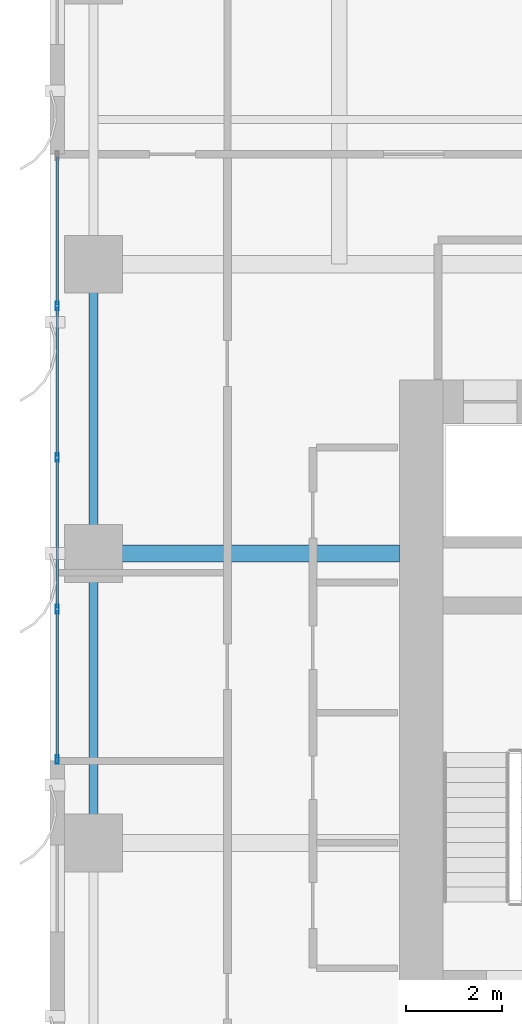
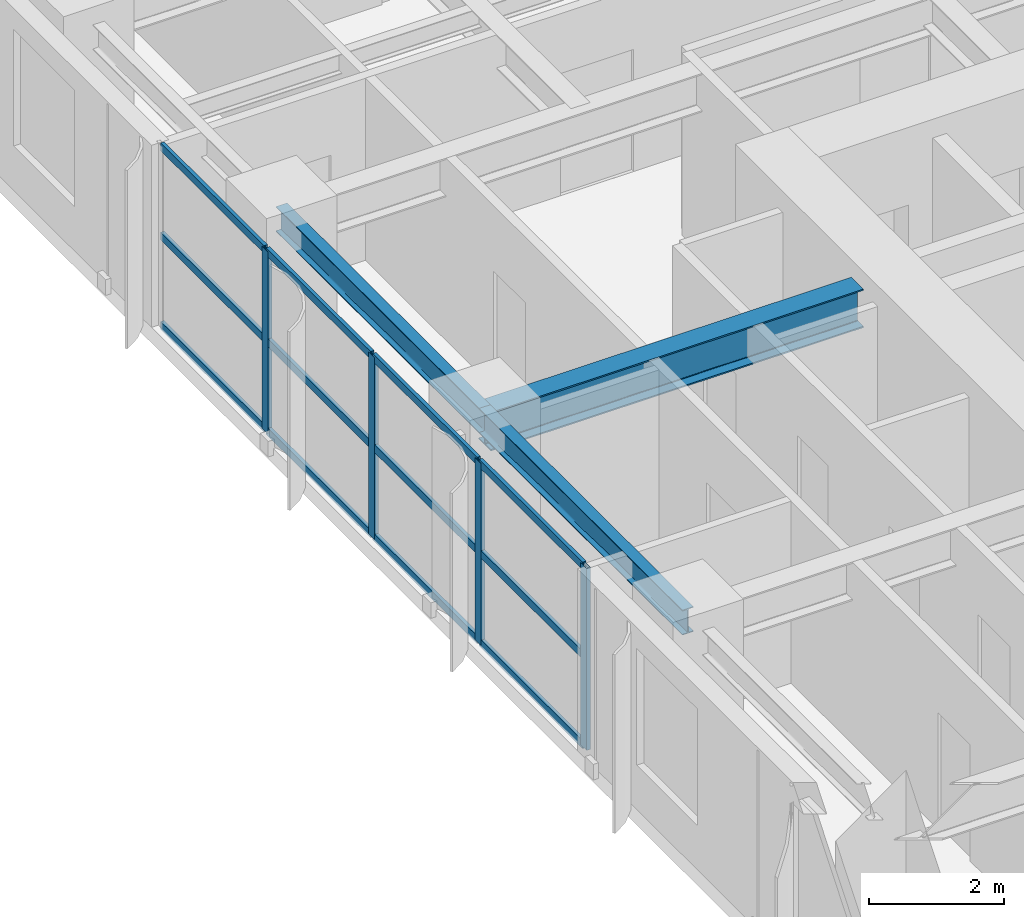
# One storey, part 5 of 23: 16 members, 3 beams, 1 element without a shape of its own.
"""IFC4 building model written with IfcOpenShell, lengths in metres."""

from ifc_helpers import new_model, si_unit, direction, frame, origin, origin_2d, place, context, subcontext, project, spatial, hollow_rectangle, i_section, extrude, source, transform, mapped, material, layer, layer_set, material_profile, profile_set, type_object, element, aggregate, save


model = new_model("IFC4")

# Units and contexts
model_context = context("Model", 3, precision=1e-05, world=origin(), true_north=direction((0.0, 1.0)))
body_context = subcontext(model_context, "Body", "Model", "MODEL_VIEW")
ifc_project = project(units=[si_unit("LENGTHUNIT", "METRE"), si_unit("AREAUNIT", "SQUARE_METRE"), si_unit("VOLUMEUNIT", "CUBIC_METRE"), si_unit("PLANEANGLEUNIT", "RADIAN"), si_unit("MASSUNIT", "GRAM", prefix="KILO")], contexts=[model_context])

# Site, building, storey
site_placement = place(None, origin())
site = spatial("IfcSite", under=ifc_project, at=site_placement, CompositionType="ELEMENT")
building_placement = place(site_placement, origin())
building = spatial("IfcBuilding", under=site, at=building_placement, Name="Khoralis Quay Care Tower", CompositionType="ELEMENT")
storey_placement = place(building_placement, frame((0.0, 0.0, 72.89990234375)))
storey = spatial("IfcBuildingStorey", under=building, at=storey_placement, Name="L19", CompositionType="ELEMENT", Elevation=72.89990234375)

# Beams
ifc_material_1 = material(Name="Steel S355", Category="steel")
ifc_material_profile_1 = material_profile(ifc_material_1, i_section(OverallWidth=0.18994140625, OverallDepth=0.449951171875, WebThickness=0.009521484375, FlangeThickness=0.0146484375, FilletRadius=0.02099609375, at=origin_2d()), Name="Steel S355")
ifc_profile_set_1 = profile_set([ifc_material_profile_1], Name="Steel S355")
beam_type_1 = type_object("IfcBeamType", Name="BM-IPE450", PredefinedType="SPANDREL", material=ifc_profile_set_1)
shared_shape_1 = source(origin(), body_context, "Body", "SweptSolid", [
    extrude(i_section(OverallWidth=0.18994140625, OverallDepth=0.449951171875, WebThickness=0.009521484375, FlangeThickness=0.0146484375, FilletRadius=0.02099609375, at=origin_2d()), origin(), (0.0, 0.0, 1.0), 6.0),
])
for number, where, z_axis, x_axis, name in (
    (1, (0.89990234375, 18.0, 3.05517578125), (0.0, 1.0, 0.0), (-1.0, 0.0, 0.0), "BM-TSP-L19-15"),
    (2, (0.89990234375, 24.0, 3.05517578125), (0.0, 1.0, 0.0), (-1.0, 0.0, 0.0), "BM-TSP-L19-16"),
):
    element("IfcBeam", number, at=place(storey_placement, frame(where, z_axis=z_axis, x_axis=x_axis)), inside=storey, type_object=beam_type_1, Name=name, PredefinedType="SPANDREL", context=body_context, shape_type="MappedRepresentation", body=[
        mapped(shared_shape_1, transform((0.0, 0.0, 0.0), scale=1.0)),
    ])
ifc_material_profile_2 = material_profile(ifc_material_1, i_section(OverallWidth=0.35498046875, OverallDepth=0.695068359375, WebThickness=0.015380859375, FlangeThickness=0.02490234375, FilletRadius=0.02001953125, at=origin_2d()), Name="Steel S355")
ifc_profile_set_2 = profile_set([ifc_material_profile_2], Name="Steel S355")
beam_type_2 = type_object("IfcBeamType", Name="BM-W690X217", PredefinedType="BEAM", material=ifc_profile_set_2)
shared_shape_2 = source(origin(), body_context, "Body", "SweptSolid", [
    extrude(i_section(OverallWidth=0.35498046875, OverallDepth=0.695068359375, WebThickness=0.015380859375, FlangeThickness=0.02490234375, FilletRadius=0.02001953125, at=origin_2d()), origin(), (0.0, 0.0, 1.0), 6.35205078125),
])
beam_placement = place(storey_placement, frame((0.89990234375, 24.0, 2.9326171875), z_axis=(1.0, 0.0, 0.0), x_axis=(0.0, 1.0, 0.0)))
element("IfcBeam", 3, at=beam_placement, inside=storey, type_object=beam_type_2, Name="BM-TGXW-L19-240", PredefinedType="BEAM", context=body_context, shape_type="MappedRepresentation", body=[
    mapped(shared_shape_2, transform((0.0, 0.0, 0.0), scale=1.0)),
])

# Curtain wall, members
ifc_material_2 = material(Name="Pale anodised aluminium", Category="aluminium")
ifc_layer = layer(ifc_material_2, 0.179931640625)
ifc_layer_set = layer_set([ifc_layer], Name="Pale anodised aluminium")
curtain_wall_type = type_object("IfcCurtainWallType", Name="CW-SYS-Z1", PredefinedType="NOTDEFINED", material=ifc_layer_set)
curtain_wall_placement = place(storey_placement, origin())
curtain_wall = element("IfcCurtainWall", 4, at=curtain_wall_placement, inside=storey, type_object=curtain_wall_type, Name="L19 Unitised Curtain Wall CW-L19-P1-E15", PredefinedType="NOTDEFINED")
ifc_material_profile_3 = material_profile(ifc_material_2, hollow_rectangle(XDim=0.06005859375, YDim=0.139892578125, WallThickness=0.00390625, at=origin_2d()), Name="Pale anodised aluminium")
ifc_profile_set_3 = profile_set([ifc_material_profile_3], Name="Pale anodised aluminium")
member_type_1 = type_object("IfcMemberType", Name="CW-TRN-140", PredefinedType="USERDEFINED", material=ifc_profile_set_3)
shared_shape_3 = source(origin(), body_context, "Body", "SweptSolid", [
    extrude(hollow_rectangle(XDim=0.06005859375, YDim=0.139892578125, WallThickness=0.00390625, at=origin_2d()), origin(), (0.0, 0.0, 1.0), 3.054931640625),
])
member_1_placement = place(storey_placement, frame((0.14990234375, 32.219970703125, 0.030029296875), z_axis=(0.0, -1.0, 0.0), x_axis=(1.0, 0.0, 0.0)))
member_1 = element("IfcMember", 5, at=member_1_placement, type_object=member_type_1, Name="CW1 transom 1.1", ObjectType="TRANSOM", PredefinedType="USERDEFINED", context=body_context, shape_type="MappedRepresentation", body=[
    mapped(shared_shape_3, transform((0.0, 0.0, 0.0), scale=1.0)),
])
member_2_placement = place(storey_placement, frame((0.14990234375, 32.219970703125, 1.64013671875), z_axis=(0.0, -1.0, 0.0), x_axis=(1.0, 0.0, 0.0)))
member_2 = element("IfcMember", 6, at=member_2_placement, type_object=member_type_1, Name="CW1 transom 1.2", ObjectType="TRANSOM", PredefinedType="USERDEFINED", context=body_context, shape_type="MappedRepresentation", body=[
    mapped(shared_shape_3, transform((0.0, 0.0, 0.0), scale=1.0)),
])
member_3_placement = place(storey_placement, frame((0.14990234375, 32.219970703125, 3.25), z_axis=(0.0, -1.0, 0.0), x_axis=(1.0, 0.0, 0.0)))
member_3 = element("IfcMember", 7, at=member_3_placement, type_object=member_type_1, Name="CW1 transom 1.3", ObjectType="TRANSOM", PredefinedType="USERDEFINED", context=body_context, shape_type="MappedRepresentation", body=[
    mapped(shared_shape_3, transform((0.0, 0.0, 0.0), scale=1.0)),
])
member_4_placement = place(storey_placement, frame((0.14990234375, 22.81494140625, 0.030029296875), z_axis=(0.0, -1.0, 0.0), x_axis=(1.0, 0.0, 0.0)))
member_4 = element("IfcMember", 8, at=member_4_placement, type_object=member_type_1, Name="CW1 transom 4.1", ObjectType="TRANSOM", PredefinedType="USERDEFINED", context=body_context, shape_type="MappedRepresentation", body=[
    mapped(shared_shape_3, transform((0.0, 0.0, 0.0), scale=1.0)),
])
member_5_placement = place(storey_placement, frame((0.14990234375, 22.81494140625, 1.64013671875), z_axis=(0.0, -1.0, 0.0), x_axis=(1.0, 0.0, 0.0)))
member_5 = element("IfcMember", 9, at=member_5_placement, type_object=member_type_1, Name="CW1 transom 4.2", ObjectType="TRANSOM", PredefinedType="USERDEFINED", context=body_context, shape_type="MappedRepresentation", body=[
    mapped(shared_shape_3, transform((0.0, 0.0, 0.0), scale=1.0)),
])
member_6_placement = place(storey_placement, frame((0.14990234375, 22.81494140625, 3.25), z_axis=(0.0, -1.0, 0.0), x_axis=(1.0, 0.0, 0.0)))
member_6 = element("IfcMember", 10, at=member_6_placement, type_object=member_type_1, Name="CW1 transom 4.3", ObjectType="TRANSOM", PredefinedType="USERDEFINED", context=body_context, shape_type="MappedRepresentation", body=[
    mapped(shared_shape_3, transform((0.0, 0.0, 0.0), scale=1.0)),
])
shared_shape_4 = source(origin(), body_context, "Body", "SweptSolid", [
    extrude(hollow_rectangle(XDim=0.06005859375, YDim=0.139892578125, WallThickness=0.00390625, at=origin_2d()), origin(), (0.0, 0.0, 1.0), 3.0849609375),
])
member_7_placement = place(storey_placement, frame((0.14990234375, 29.10498046875, 0.030029296875), z_axis=(0.0, -1.0, 0.0), x_axis=(1.0, 0.0, 0.0)))
member_7 = element("IfcMember", 11, at=member_7_placement, type_object=member_type_1, Name="CW1 transom 2.1", ObjectType="TRANSOM", PredefinedType="USERDEFINED", context=body_context, shape_type="MappedRepresentation", body=[
    mapped(shared_shape_4, transform((0.0, 0.0, 0.0), scale=1.0)),
])
member_8_placement = place(storey_placement, frame((0.14990234375, 29.10498046875, 1.64013671875), z_axis=(0.0, -1.0, 0.0), x_axis=(1.0, 0.0, 0.0)))
member_8 = element("IfcMember", 12, at=member_8_placement, type_object=member_type_1, Name="CW1 transom 2.2", ObjectType="TRANSOM", PredefinedType="USERDEFINED", context=body_context, shape_type="MappedRepresentation", body=[
    mapped(shared_shape_4, transform((0.0, 0.0, 0.0), scale=1.0)),
])
member_9_placement = place(storey_placement, frame((0.14990234375, 29.10498046875, 3.25), z_axis=(0.0, -1.0, 0.0), x_axis=(1.0, 0.0, 0.0)))
member_9 = element("IfcMember", 13, at=member_9_placement, type_object=member_type_1, Name="CW1 transom 2.3", ObjectType="TRANSOM", PredefinedType="USERDEFINED", context=body_context, shape_type="MappedRepresentation", body=[
    mapped(shared_shape_4, transform((0.0, 0.0, 0.0), scale=1.0)),
])
member_10_placement = place(storey_placement, frame((0.14990234375, 25.9599609375, 0.030029296875), z_axis=(0.0, -1.0, 0.0), x_axis=(1.0, 0.0, 0.0)))
member_10 = element("IfcMember", 14, at=member_10_placement, type_object=member_type_1, Name="CW1 transom 3.1", ObjectType="TRANSOM", PredefinedType="USERDEFINED", context=body_context, shape_type="MappedRepresentation", body=[
    mapped(shared_shape_4, transform((0.0, 0.0, 0.0), scale=1.0)),
])
member_11_placement = place(storey_placement, frame((0.14990234375, 25.9599609375, 1.64013671875), z_axis=(0.0, -1.0, 0.0), x_axis=(1.0, 0.0, 0.0)))
member_11 = element("IfcMember", 15, at=member_11_placement, type_object=member_type_1, Name="CW1 transom 3.2", ObjectType="TRANSOM", PredefinedType="USERDEFINED", context=body_context, shape_type="MappedRepresentation", body=[
    mapped(shared_shape_4, transform((0.0, 0.0, 0.0), scale=1.0)),
])
member_12_placement = place(storey_placement, frame((0.14990234375, 25.9599609375, 3.25), z_axis=(0.0, -1.0, 0.0), x_axis=(1.0, 0.0, 0.0)))
member_12 = element("IfcMember", 16, at=member_12_placement, type_object=member_type_1, Name="CW1 transom 3.3", ObjectType="TRANSOM", PredefinedType="USERDEFINED", context=body_context, shape_type="MappedRepresentation", body=[
    mapped(shared_shape_4, transform((0.0, 0.0, 0.0), scale=1.0)),
])
ifc_material_profile_4 = material_profile(ifc_material_2, hollow_rectangle(XDim=0.06494140625, YDim=0.179931640625, WallThickness=0.00390625, at=origin_2d()), Name="Pale anodised aluminium")
ifc_profile_set_4 = profile_set([ifc_material_profile_4], Name="Pale anodised aluminium")
member_type_2 = type_object("IfcMemberType", Name="CW-MUL-180", PredefinedType="MULLION", material=ifc_profile_set_4)
shared_shape_5 = source(origin(), body_context, "Body", "SweptSolid", [
    extrude(hollow_rectangle(XDim=0.06494140625, YDim=0.179931640625, WallThickness=0.00390625, at=origin_2d()), origin(), (0.0, 0.0, 1.0), 3.280029296875),
])
member_13_placement = place(storey_placement, frame((0.14990234375, 29.135009765625, 0.0), z_axis=(0.0, 0.0, 1.0), x_axis=(1.0, 0.0, 0.0)))
member_13 = element("IfcMember", 17, at=member_13_placement, type_object=member_type_2, Name="CW1 mullion 2", PredefinedType="MULLION", context=body_context, shape_type="MappedRepresentation", body=[
    mapped(shared_shape_5, transform((0.0, 0.0, 0.0), scale=1.0)),
])
member_14_placement = place(storey_placement, frame((0.14990234375, 25.989990234375, 0.0), z_axis=(0.0, 0.0, 1.0), x_axis=(1.0, 0.0, 0.0)))
member_14 = element("IfcMember", 18, at=member_14_placement, type_object=member_type_2, Name="CW1 mullion 3", PredefinedType="MULLION", context=body_context, shape_type="MappedRepresentation", body=[
    mapped(shared_shape_5, transform((0.0, 0.0, 0.0), scale=1.0)),
])
member_15_placement = place(storey_placement, frame((0.14990234375, 22.844970703125, 0.0), z_axis=(0.0, 0.0, 1.0), x_axis=(1.0, 0.0, 0.0)))
member_15 = element("IfcMember", 19, at=member_15_placement, type_object=member_type_2, Name="CW1 mullion 4", PredefinedType="MULLION", context=body_context, shape_type="MappedRepresentation", body=[
    mapped(shared_shape_5, transform((0.0, 0.0, 0.0), scale=1.0)),
])
member_16_placement = place(storey_placement, frame((0.14990234375, 19.72998046875, 0.0), z_axis=(0.0, 0.0, 1.0), x_axis=(1.0, 0.0, 0.0)))
member_16 = element("IfcMember", 20, at=member_16_placement, type_object=member_type_2, Name="CW1 mullion 5", PredefinedType="MULLION", context=body_context, shape_type="MappedRepresentation", body=[
    mapped(shared_shape_5, transform((0.0, 0.0, 0.0), scale=1.0)),
])
aggregate(curtain_wall, [member_13, member_14, member_15, member_16, member_1, member_2, member_3, member_7, member_8, member_9, member_10, member_11, member_12, member_4, member_5, member_6])

save(model, "model.ifc")
